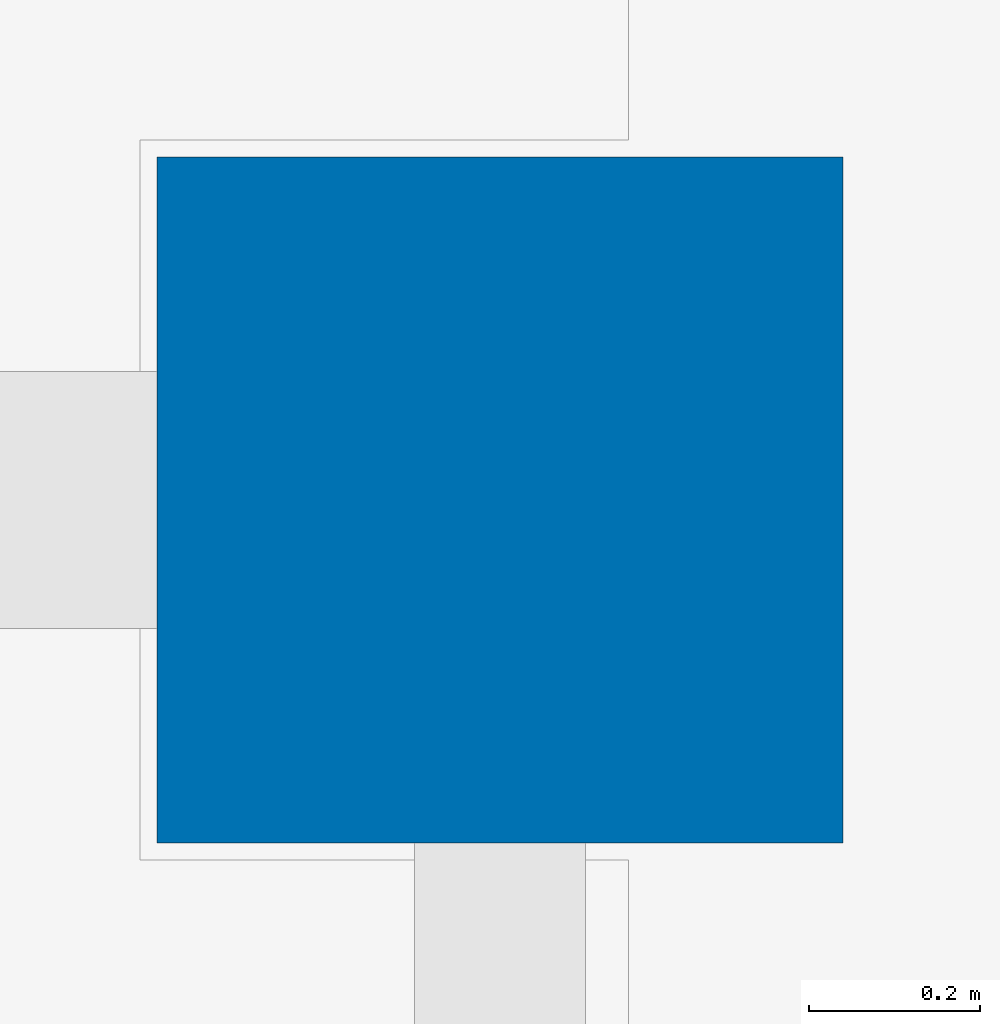
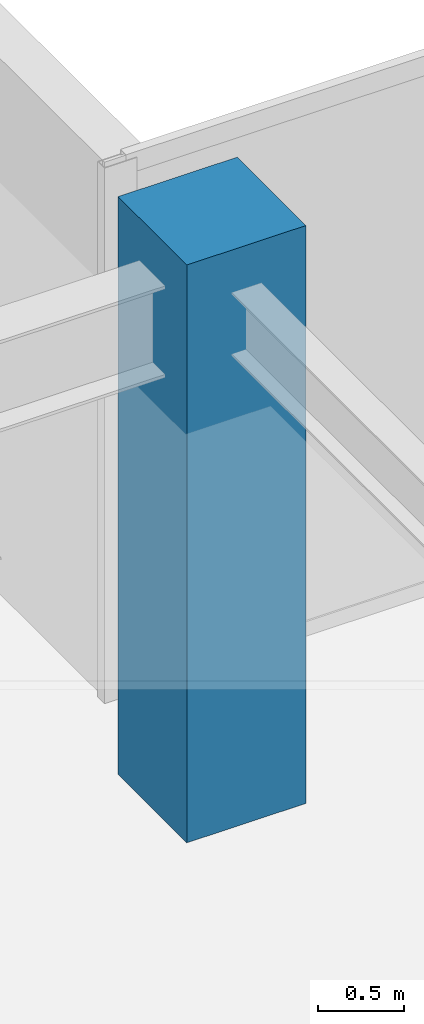
# One storey, part 4 of 36: 1 column.
"""IFC4 building model written with IfcOpenShell, lengths in metres."""

from ifc_helpers import new_model, si_unit, direction, frame, origin, origin_2d, place, context, subcontext, project, spatial, rectangle, extrude, source, transform, mapped, material, material_profile, profile_set, type_object, type_shapes, element, save


model = new_model("IFC4")

# Units and contexts
model_context = context("Model", 3, precision=1e-05, world=origin(), true_north=direction((0.0, 1.0)))
body_context = subcontext(model_context, "Body", "Model", "MODEL_VIEW")
ifc_project = project(units=[si_unit("LENGTHUNIT", "METRE"), si_unit("AREAUNIT", "SQUARE_METRE"), si_unit("VOLUMEUNIT", "CUBIC_METRE"), si_unit("PLANEANGLEUNIT", "RADIAN"), si_unit("MASSUNIT", "GRAM", prefix="KILO")], contexts=[model_context])

# Site, building, storey
site_placement = place(None, origin())
site = spatial("IfcSite", under=ifc_project, at=site_placement, CompositionType="ELEMENT")
building_placement = place(site_placement, origin())
building = spatial("IfcBuilding", under=site, at=building_placement, Name="Haelvirn Gate Laboratories", CompositionType="ELEMENT")
storey_placement = place(building_placement, frame((0.0, 0.0, 242.39990234375)))
storey = spatial("IfcBuildingStorey", under=building, at=storey_placement, Name="L58", CompositionType="ELEMENT", Elevation=242.39990234375)

# Column
ifc_material = material(Name="Concrete C50/60", Category="concrete")
ifc_material_profile = material_profile(ifc_material, rectangle(XDim=0.800048828125, YDim=0.800048828125, at=origin_2d()), Name="RC-800x800")
ifc_profile_set = profile_set([ifc_material_profile], Name="Concrete C50/60")
column_type = type_object("IfcColumnType", Name="COL-RC-800", PredefinedType="COLUMN", material=ifc_profile_set)
shared_shape = source(origin(), body_context, "Body", "SweptSolid", [
    extrude(rectangle(XDim=0.800048828125, YDim=0.800048828125, at=origin_2d()), origin(), (0.0, 0.0, 1.0), 4.10009765625),
])
type_shapes(column_type, [shared_shape])
column_placement = place(storey_placement, frame((67.39990234375, 41.60009765625, 0.0), z_axis=(0.0, 0.0, 1.0), x_axis=(1.0, 0.0, 0.0)))
element("IfcColumn", 1, at=column_placement, inside=storey, type_object=column_type, Name="L58 Column 10G", PredefinedType="COLUMN", context=body_context, shape_type="MappedRepresentation", body=[
    mapped(shared_shape, transform((0.0, 0.0, 0.0), scale=1.0)),
])

save(model, "model.ifc")
